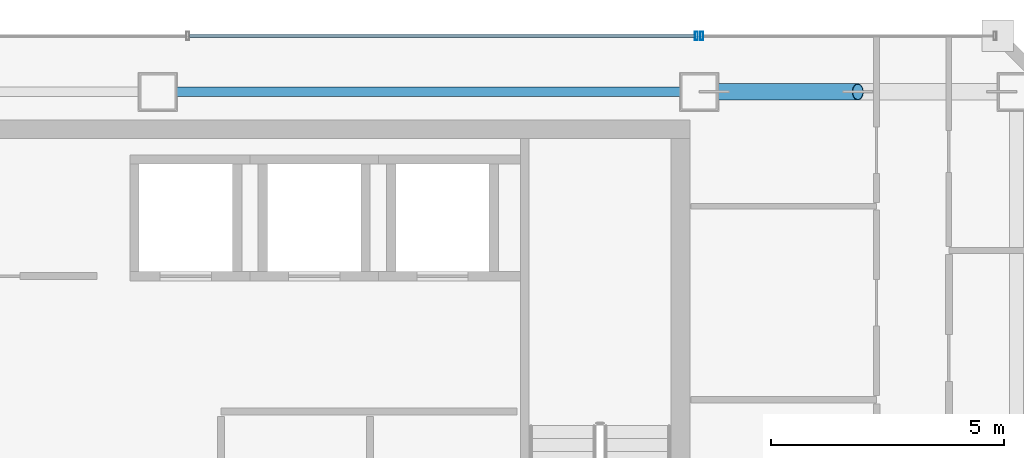
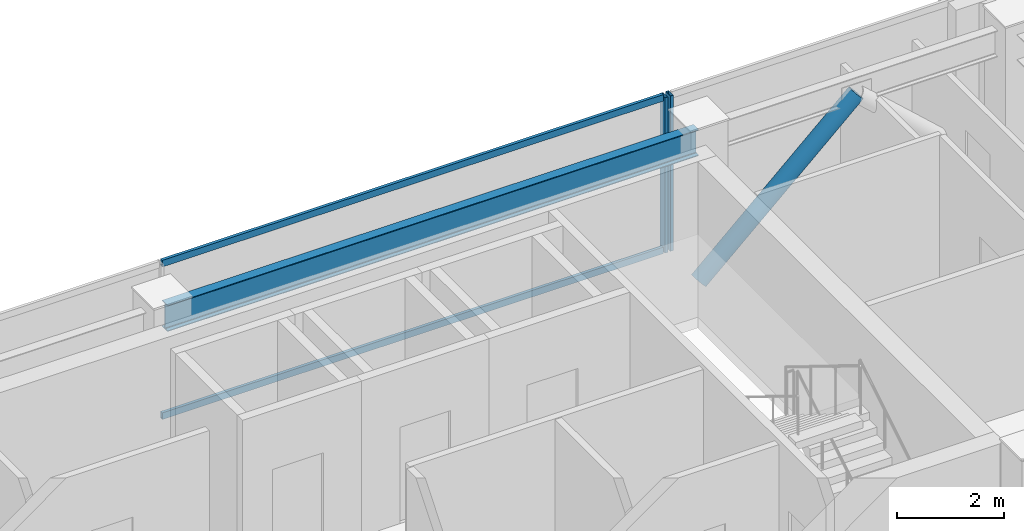
# One storey, part 23 of 32: 5 members, 1 beam, 2 elements without a shape of their own.
"""IFC4 building model written with IfcOpenShell, lengths in metres."""

from ifc_helpers import new_model, si_unit, direction, frame, origin, origin_2d, place, context, subcontext, project, spatial, hollow_rectangle, hollow_circle, i_section, extrude, material, material_profile, profile_set, type_object, element, aggregate, save


model = new_model("IFC4")

# Units and contexts
model_context = context("Model", 3, precision=1e-05, world=origin(), true_north=direction((0.0, 1.0)))
body_context = subcontext(model_context, "Body", "Model", "MODEL_VIEW")
ifc_project = project(units=[si_unit("LENGTHUNIT", "METRE"), si_unit("AREAUNIT", "SQUARE_METRE"), si_unit("VOLUMEUNIT", "CUBIC_METRE"), si_unit("PLANEANGLEUNIT", "RADIAN"), si_unit("MASSUNIT", "GRAM", prefix="KILO")], contexts=[model_context])

# Site, building, storey
site_placement = place(None, origin())
site = spatial("IfcSite", under=ifc_project, at=site_placement, CompositionType="ELEMENT")
building_placement = place(site_placement, origin())
building = spatial("IfcBuilding", under=site, at=building_placement, Name="Saevonmaru Cultural Tower", CompositionType="ELEMENT")
storey_placement = place(building_placement, frame((0.0, 0.0, 257.199951171875)))
storey = spatial("IfcBuildingStorey", under=building, at=storey_placement, Name="L60", CompositionType="ELEMENT", Elevation=257.199951171875)

# Beam
ifc_material_1 = material(Name="Steel SM355", Category="steel")
ifc_material_profile_1 = material_profile(ifc_material_1, i_section(OverallWidth=0.199951171875, OverallDepth=0.60009765625, WebThickness=0.010986328125, FlangeThickness=0.01708984375, FilletRadius=0.02197265625, at=origin_2d()), Name="H-600x200x11x17")
ifc_profile_set_1 = profile_set([ifc_material_profile_1], Name="Steel SM355")
beam_type = type_object("IfcBeamType", Name="BM-SP-H600", PredefinedType="SPANDREL", material=ifc_profile_set_1)
beam_placement = place(storey_placement, frame((34.860107421875, 54.800048828125, 3.25), z_axis=(1.0, 0.0, 0.0), x_axis=(0.0, 1.0, 0.0)))
element("IfcBeam", 1, at=beam_placement, inside=storey, type_object=beam_type, Name="L60 North Spine Girder 4", PredefinedType="SPANDREL", context=body_context, shape_type="SweptSolid", body=[
    extrude(i_section(OverallWidth=0.199951171875, OverallDepth=0.60009765625, WebThickness=0.010986328125, FlangeThickness=0.01708984375, FilletRadius=0.02197265625, at=origin_2d()), origin(), (0.0, 0.0, 1.0), 11.47998046875),
])

# Member
ifc_material_profile_2 = material_profile(ifc_material_1, hollow_circle(Radius=0.177734375, WallThickness=0.01611328125, at=origin_2d()), Name="CHS-355.6x16")
ifc_profile_set_2 = profile_set([ifc_material_profile_2], Name="Steel SM355")
member_type_1 = type_object("IfcMemberType", Name="MB-PBR-CHS356", PredefinedType="BRACE", material=ifc_profile_set_2)
member_1_placement = place(storey_placement, frame((46.39990234375, 54.800048828125, 0.02001953125), z_axis=(0.738959728749, 0.0, 0.673749596873), x_axis=(0.0, 1.0, 0.0)))
element("IfcMember", 2, at=member_1_placement, inside=storey, type_object=member_type_1, Name="L60 Perimeter Braced-Tube Diagonal EN1", PredefinedType="BRACE", context=body_context, shape_type="SweptSolid", body=[
    extrude(hollow_circle(Radius=0.177734375, WallThickness=0.01611328125, at=origin_2d()), origin(), (0.0, 0.0, 1.0), 4.601318359375),
])

# Curtain wall, member
ifc_material_2 = material(Name="Satin Bronze Anodised Aluminium", Category="aluminium")
curtain_wall_type = type_object("IfcCurtainWallType", Name="CW-TYP-B", PredefinedType="NOTDEFINED", material=ifc_material_2)
curtain_wall_1_placement = place(storey_placement, origin())
curtain_wall_1 = element("IfcCurtainWall", 3, at=curtain_wall_1_placement, inside=storey, type_object=curtain_wall_type, Name="L60 East Braced Bay Spandrel Curtain Wall E10A", PredefinedType="NOTDEFINED")
ifc_material_profile_3 = material_profile(ifc_material_2, hollow_rectangle(XDim=0.06494140625, YDim=0.179931640625, WallThickness=0.00390625, at=origin_2d()), Name="ALU-MULL-180x65x4")
ifc_profile_set_3 = profile_set([ifc_material_profile_3], Name="Satin Bronze Anodised Aluminium")
member_type_2 = type_object("IfcMemberType", Name="ML-CW-180x65", PredefinedType="MULLION", material=ifc_profile_set_3)
member_2_placement = place(storey_placement, frame((46.4599609375, 56.0, 0.0), z_axis=(0.0, 0.0, 1.0), x_axis=(-1.0, 0.0, 0.0)))
member_2 = element("IfcMember", 4, at=member_2_placement, type_object=member_type_2, Name="CW-TW-L60-E10A mullion 2", PredefinedType="MULLION", context=body_context, shape_type="SweptSolid", body=[
    extrude(hollow_rectangle(XDim=0.06494140625, YDim=0.179931640625, WallThickness=0.00390625, at=origin_2d()), origin(), (0.0, 0.0, 1.0), 3.550048828125),
])
aggregate(curtain_wall_1, [member_2])

# Curtain wall, members
curtain_wall_2_placement = place(storey_placement, origin())
curtain_wall_2 = element("IfcCurtainWall", 5, at=curtain_wall_2_placement, inside=storey, type_object=curtain_wall_type, Name="L60 North Spine Unitised Curtain Wall E10B", PredefinedType="NOTDEFINED")
member_3_placement = place(storey_placement, frame((46.340087890625, 56.0, 0.0), z_axis=(0.0, 0.0, 1.0), x_axis=(-1.0, 0.0, 0.0)))
member_3 = element("IfcMember", 6, at=member_3_placement, type_object=member_type_2, Name="CW-TW-L60-E10B mullion 1", PredefinedType="MULLION", context=body_context, shape_type="SweptSolid", body=[
    extrude(hollow_rectangle(XDim=0.06494140625, YDim=0.179931640625, WallThickness=0.00390625, at=origin_2d()), origin(), (0.0, 0.0, 1.0), 3.550048828125),
])
ifc_material_profile_4 = material_profile(ifc_material_2, hollow_rectangle(XDim=0.06494140625, YDim=0.14990234375, WallThickness=0.00390625, at=origin_2d()), Name="ALU-TRAN-150x65x4")
ifc_profile_set_4 = profile_set([ifc_material_profile_4], Name="Satin Bronze Anodised Aluminium")
member_type_3 = type_object("IfcMemberType", Name="TR-CW-150x65", PredefinedType="USERDEFINED", material=ifc_profile_set_4)
member_4_placement = place(storey_placement, frame((46.3076171875, 56.0, 0.032470703125), z_axis=(-1.0, 0.0, 0.0), x_axis=(0.0, -1.0, 0.0)))
member_4 = element("IfcMember", 7, at=member_4_placement, type_object=member_type_3, Name="CW-TW-L60-E10B transom 1.1", ObjectType="TRANSOM", PredefinedType="USERDEFINED", context=body_context, shape_type="SweptSolid", body=[
    extrude(hollow_rectangle(XDim=0.06494140625, YDim=0.14990234375, WallThickness=0.00390625, at=origin_2d()), origin(), (0.0, 0.0, 1.0), 10.828369140625),
])
member_5_placement = place(storey_placement, frame((46.3076171875, 56.0, 3.517578125), z_axis=(-1.0, 0.0, 0.0), x_axis=(0.0, -1.0, 0.0)))
member_5 = element("IfcMember", 8, at=member_5_placement, type_object=member_type_3, Name="CW-TW-L60-E10B transom 1.2", ObjectType="TRANSOM", PredefinedType="USERDEFINED", context=body_context, shape_type="SweptSolid", body=[
    extrude(hollow_rectangle(XDim=0.06494140625, YDim=0.14990234375, WallThickness=0.00390625, at=origin_2d()), origin(), (0.0, 0.0, 1.0), 10.828369140625),
])
aggregate(curtain_wall_2, [member_3, member_4, member_5])

save(model, "model.ifc")
